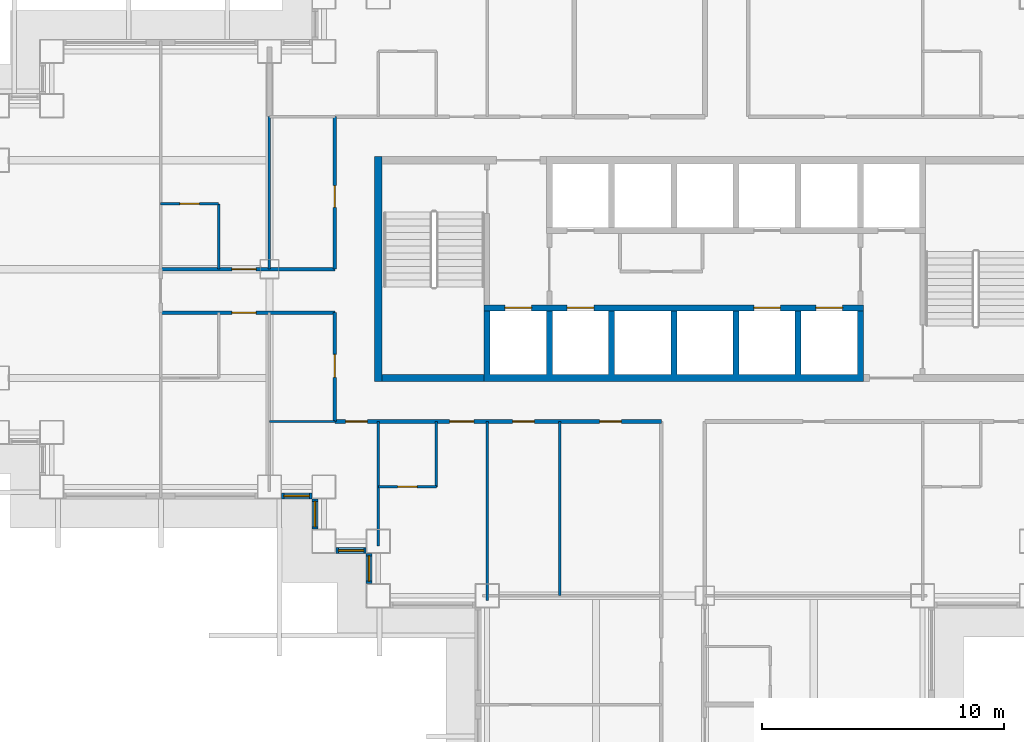
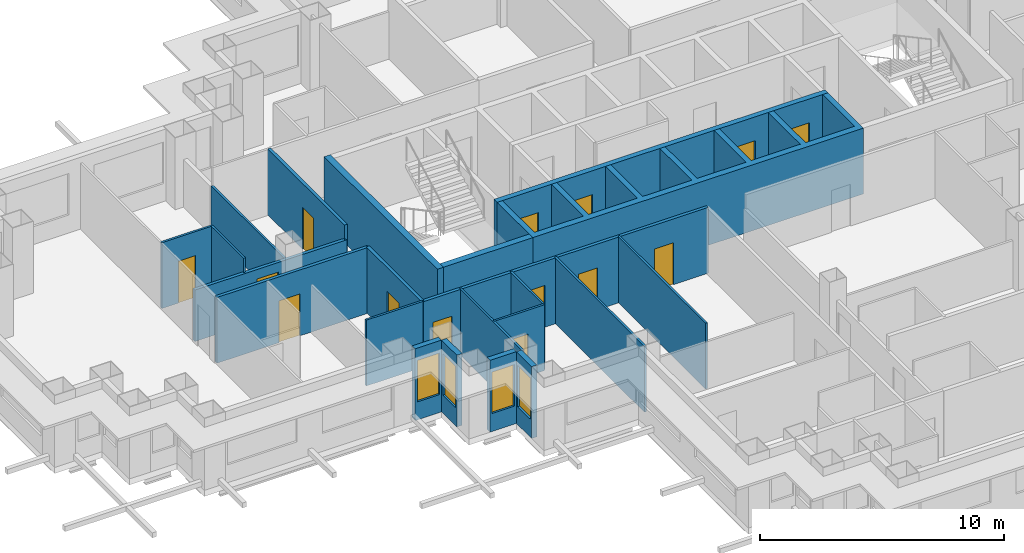
# One storey, part 4 of 15: 22 walls, 14 doors, 4 windows, 18 openings.
"""IFC4 building model written with IfcOpenShell, lengths in metres."""

from ifc_helpers import new_model, si_unit, direction, frame, frame_2d, origin, place, context, subcontext, project, spatial, polyline, rectangle, outline, extrude, material, layer, layer_set, type_object, element, fill, save


model = new_model("IFC4")

# Units and contexts
model_context = context("Model", 3, precision=1e-05, world=origin(), true_north=direction((0.0, 1.0)))
body_context = subcontext(model_context, "Body", "Model", "MODEL_VIEW")
ifc_project = project(units=[si_unit("LENGTHUNIT", "METRE"), si_unit("AREAUNIT", "SQUARE_METRE"), si_unit("VOLUMEUNIT", "CUBIC_METRE"), si_unit("PLANEANGLEUNIT", "RADIAN"), si_unit("MASSUNIT", "GRAM", prefix="KILO")], contexts=[model_context])

# Site, building, storey
site_placement = place(None, origin())
site = spatial("IfcSite", under=ifc_project, at=site_placement, CompositionType="ELEMENT")
building_placement = place(site_placement, origin())
building = spatial("IfcBuilding", under=site, at=building_placement, Name="Caravel Reach Hotel and Residences", CompositionType="ELEMENT")
storey_placement = place(building_placement, frame((0.0, 0.0, 70.800048828125)))
storey = spatial("IfcBuildingStorey", under=building, at=storey_placement, Name="L16", CompositionType="ELEMENT", Elevation=70.800048828125)

# Wall, opening, door
ifc_material_1 = material(Name="Gypsum board on steel stud", Category="steel")
ifc_layer_1 = layer(ifc_material_1, 0.10009765625)
ifc_layer_set_1 = layer_set([ifc_layer_1], Name="Bathroom pod wall 100 mm")
wall_type_1 = type_object("IfcWallType", Name="Bathroom pod wall 100 mm", PredefinedType="PARTITIONING", material=ifc_layer_set_1)
wall_1_placement = place(storey_placement, frame((18.0, 18.0, 0.0), z_axis=(0.0, 0.0, 1.0), x_axis=(1.0, 0.0, 0.0)))
wall_1 = element("IfcWall", 1, at=wall_1_placement, inside=storey, type_object=wall_type_1, Name="L16 wall w075", PredefinedType="PARTITIONING", context=body_context, shape_type="SweptSolid", body=[
    extrude(rectangle(XDim=2.39990234375, YDim=0.10009765625, at=frame_2d((1.199951171875, 0.0))), origin(), (0.0, 0.0, 1.0), 3.300048828125),
])
opening_1_placement = place(wall_1_placement, frame((0.800048828125, 0.0, 0.0)))
opening_1 = element("IfcOpeningElement", 2, at=opening_1_placement, cuts=wall_1, Name="Opening D16-047", PredefinedType="OPENING", context=body_context, shape_type="SweptSolid", body=[
    extrude(rectangle(XDim=0.800048828125, YDim=2.10009765625, at=frame_2d((0.39990234375, 1.050048828125))), frame((0.0, 0.06005859375, 0.0), z_axis=(0.0, -1.0, 0.0), x_axis=(1.0, 0.0, 0.0)), (0.0, 0.0, 1.0), 0.1201171875),
])
ifc_material_2 = material(Name="Timber and steel door leaf", Category="steel")
door_type_1 = type_object("IfcDoorType", Name="Bathroom door 800 x 2100", OperationType="SINGLE_SWING_LEFT", PredefinedType="DOOR", material=ifc_material_2)
door_1_placement = place(opening_1_placement, origin())
door_1 = element("IfcDoor", 3, at=door_1_placement, inside=storey, type_object=door_type_1, Name="door D16-047", OperationType="SINGLE_SWING_RIGHT", OverallHeight=2.10009765625, OverallWidth=0.800048828125, PredefinedType="DOOR", context=body_context, shape_type="SweptSolid", body=[
    extrude(rectangle(XDim=0.800048828125, YDim=2.10009765625, at=frame_2d((0.39990234375, 1.050048828125))), frame((0.0, 0.02490234375, 0.0), z_axis=(0.0, -1.0, 0.0), x_axis=(1.0, 0.0, 0.0)), (0.0, 0.0, 1.0), 0.050048828125),
])
fill(opening_1, door_1)

wall_2_placement = place(storey_placement, frame((9.0, 29.699951171875, 0.0), z_axis=(0.0, 0.0, 1.0), x_axis=(1.0, 0.0, 0.0)))
wall_2 = element("IfcWall", 4, at=wall_2_placement, inside=storey, type_object=wall_type_1, Name="L16 wall w079", PredefinedType="PARTITIONING", context=body_context, shape_type="SweptSolid", body=[
    extrude(rectangle(XDim=2.39990234375, YDim=0.10009765625, at=frame_2d((1.199951171875, 0.0))), origin(), (0.0, 0.0, 1.0), 3.300048828125),
])
opening_2_placement = place(wall_2_placement, frame((0.800048828125, 0.0, 0.0)))
opening_2 = element("IfcOpeningElement", 5, at=opening_2_placement, cuts=wall_2, Name="Opening D16-018", PredefinedType="OPENING", context=body_context, shape_type="SweptSolid", body=[
    extrude(rectangle(XDim=0.800048828125, YDim=2.10009765625, at=frame_2d((0.39990234375, 1.050048828125))), frame((0.0, 0.06005859375, 0.0), z_axis=(0.0, -1.0, 0.0), x_axis=(1.0, 0.0, 0.0)), (0.0, 0.0, 1.0), 0.1201171875),
])
door_2_placement = place(opening_2_placement, origin())
door_2 = element("IfcDoor", 6, at=door_2_placement, inside=storey, type_object=door_type_1, Name="door D16-018", OperationType="SINGLE_SWING_RIGHT", OverallHeight=2.10009765625, OverallWidth=0.800048828125, PredefinedType="DOOR", context=body_context, shape_type="SweptSolid", body=[
    extrude(rectangle(XDim=0.800048828125, YDim=2.10009765625, at=frame_2d((0.39990234375, 1.050048828125))), frame((0.0, 0.02490234375, 0.0), z_axis=(0.0, -1.0, 0.0), x_axis=(1.0, 0.0, 0.0)), (0.0, 0.0, 1.0), 0.050048828125),
])
fill(opening_2, door_2)

# Walls
for number, where, z_axis, x_axis, name in (
    (7, (11.39990234375, 27.0, 0.0), (0.0, 0.0, 1.0), (0.0, 1.0, 0.0), "L16 wall w088"),
    (8, (20.39990234375, 18.0, 0.0), (0.0, 0.0, 1.0), (0.0, 1.0, 0.0), "L16 wall w092"),
):
    element("IfcWall", number, at=place(storey_placement, frame(where, z_axis=z_axis, x_axis=x_axis)), inside=storey, type_object=wall_type_1, Name=name, PredefinedType="PARTITIONING", context=body_context, shape_type="SweptSolid", body=[
        extrude(rectangle(XDim=2.699951171875, YDim=0.10009765625, at=frame_2d((1.35009765625, 0.0))), origin(), (0.0, 0.0, 1.0), 3.300048828125),
    ])
ifc_material_3 = material(Name="Concrete C60", Category="concrete")
ifc_layer_2 = layer(ifc_material_3, 0.300048828125)
ifc_layer_set_2 = layer_set([ifc_layer_2], Name="Core wall 300 mm EI 120")
wall_type_2 = type_object("IfcWallType", Name="Core wall 300 mm EI 120", PredefinedType="SHEAR", material=ifc_layer_set_2)
wall_3_placement = place(storey_placement, frame((18.14990234375, 22.5, 0.0), z_axis=(0.0, 0.0, 1.0), x_axis=(1.0, 0.0, 0.0)))
element("IfcWall", 9, at=wall_3_placement, inside=storey, type_object=wall_type_2, Name="L16 core wall S1", PredefinedType="SHEAR", context=body_context, shape_type="SweptSolid", body=[
    extrude(rectangle(XDim=4.22509765625, YDim=0.300048828125, at=frame_2d((2.112548828125, 0.0))), origin(), (0.0, 0.0, 1.0), 3.300048828125),
])
wall_4_placement = place(storey_placement, frame((18.0, 22.35009765625, 0.0), z_axis=(0.0, 0.0, 1.0), x_axis=(0.0, 1.0, 0.0)))
element("IfcWall", 10, at=wall_4_placement, inside=storey, type_object=wall_type_2, Name="L16 core wall W", PredefinedType="SHEAR", context=body_context, shape_type="SweptSolid", body=[
    extrude(rectangle(XDim=9.2998046875, YDim=0.300048828125, at=frame_2d((4.64990234375, 0.0))), origin(), (0.0, 0.0, 1.0), 3.300048828125),
])

# Wall, openings, doors
ifc_material_4 = material(Name="Gypsum board on steel stud, fire-rated", Category="steel")
ifc_layer_3 = layer(ifc_material_4, 0.14990234375)
ifc_layer_set_3 = layer_set([ifc_layer_3], Name="Corridor wall 150 mm EI 60")
wall_type_3 = type_object("IfcWallType", Name="Corridor wall 150 mm EI 60", PredefinedType="PARTITIONING", material=ifc_layer_set_3)
wall_5_placement = place(storey_placement, frame((16.199951171875, 20.699951171875, 0.0), z_axis=(0.0, 0.0, 1.0), x_axis=(1.0, 0.0, 0.0)))
wall_5 = element("IfcWall", 11, at=wall_5_placement, inside=storey, type_object=wall_type_3, Name="L16 wall w006", PredefinedType="PARTITIONING", context=body_context, shape_type="SweptSolid", body=[
    extrude(rectangle(XDim=13.5, YDim=0.14990234375, at=frame_2d((6.75, 0.0))), origin(), (0.0, 0.0, 1.0), 3.300048828125),
])
opening_3_placement = place(wall_5_placement, frame((4.75, 0.0, 0.0)))
opening_3 = element("IfcOpeningElement", 12, at=opening_3_placement, cuts=wall_5, Name="Opening D16-046", PredefinedType="OPENING", context=body_context, shape_type="SweptSolid", body=[
    extrude(rectangle(XDim=1.0, YDim=2.10009765625, at=frame_2d((0.5, 1.050048828125))), frame((0.0, 0.0849609375, 0.0), z_axis=(0.0, -1.0, 0.0), x_axis=(1.0, 0.0, 0.0)), (0.0, 0.0, 1.0), 0.169921875),
])
opening_4_placement = place(wall_5_placement, frame((0.449951171875, 0.0, 0.0)))
opening_4 = element("IfcOpeningElement", 13, at=opening_4_placement, cuts=wall_5, Name="Opening D16-048", PredefinedType="OPENING", context=body_context, shape_type="SweptSolid", body=[
    extrude(rectangle(XDim=0.89990234375, YDim=2.10009765625, at=frame_2d((0.449951171875, 1.050048828125))), frame((0.0, 0.0849609375, 0.0), z_axis=(0.0, -1.0, 0.0), x_axis=(1.0, 0.0, 0.0)), (0.0, 0.0, 1.0), 0.169921875),
])
opening_5_placement = place(wall_5_placement, frame((7.35009765625, 0.0, 0.0)))
opening_5 = element("IfcOpeningElement", 14, at=opening_5_placement, cuts=wall_5, Name="Opening D16-054", PredefinedType="OPENING", context=body_context, shape_type="SweptSolid", body=[
    extrude(rectangle(XDim=0.89990234375, YDim=2.10009765625, at=frame_2d((0.449951171875, 1.050048828125))), frame((0.0, 0.0849609375, 0.0), z_axis=(0.0, -1.0, 0.0), x_axis=(1.0, 0.0, 0.0)), (0.0, 0.0, 1.0), 0.169921875),
])
opening_6_placement = place(wall_5_placement, frame((10.949951171875, 0.0, 0.0)))
opening_6 = element("IfcOpeningElement", 15, at=opening_6_placement, cuts=wall_5, Name="Opening D16-055", PredefinedType="OPENING", context=body_context, shape_type="SweptSolid", body=[
    extrude(rectangle(XDim=0.89990234375, YDim=2.10009765625, at=frame_2d((0.449951171875, 1.050048828125))), frame((0.0, 0.0849609375, 0.0), z_axis=(0.0, -1.0, 0.0), x_axis=(1.0, 0.0, 0.0)), (0.0, 0.0, 1.0), 0.169921875),
])
ifc_material_5 = material(Name="Timber and steel door leaf", Category="steel")
door_type_2 = type_object("IfcDoorType", Name="Door 900 x 2100 timber", OperationType="SINGLE_SWING_LEFT", PredefinedType="DOOR", material=ifc_material_5)
door_3_placement = place(opening_4_placement, origin())
door_3 = element("IfcDoor", 16, at=door_3_placement, inside=storey, type_object=door_type_2, Name="door D16-048", OperationType="SINGLE_SWING_RIGHT", OverallHeight=2.10009765625, OverallWidth=0.89990234375, PredefinedType="DOOR", context=body_context, shape_type="SweptSolid", body=[
    extrude(rectangle(XDim=0.89990234375, YDim=2.10009765625, at=frame_2d((0.449951171875, 1.050048828125))), frame((0.0, 0.02490234375, 0.0), z_axis=(0.0, -1.0, 0.0), x_axis=(1.0, 0.0, 0.0)), (0.0, 0.0, 1.0), 0.050048828125),
])
fill(opening_4, door_3)
door_4_placement = place(opening_5_placement, origin())
door_4 = element("IfcDoor", 17, at=door_4_placement, inside=storey, type_object=door_type_2, Name="door D16-054", OperationType="SINGLE_SWING_LEFT", OverallHeight=2.10009765625, OverallWidth=0.89990234375, PredefinedType="DOOR", context=body_context, shape_type="SweptSolid", body=[
    extrude(rectangle(XDim=0.89990234375, YDim=2.10009765625, at=frame_2d((0.449951171875, 1.050048828125))), frame((0.0, 0.02490234375, 0.0), z_axis=(0.0, -1.0, 0.0), x_axis=(1.0, 0.0, 0.0)), (0.0, 0.0, 1.0), 0.050048828125),
])
fill(opening_5, door_4)
door_5_placement = place(opening_6_placement, origin())
door_5 = element("IfcDoor", 18, at=door_5_placement, inside=storey, type_object=door_type_2, Name="door D16-055", OperationType="SINGLE_SWING_RIGHT", OverallHeight=2.10009765625, OverallWidth=0.89990234375, PredefinedType="DOOR", context=body_context, shape_type="SweptSolid", body=[
    extrude(rectangle(XDim=0.89990234375, YDim=2.10009765625, at=frame_2d((0.449951171875, 1.050048828125))), frame((0.0, 0.02490234375, 0.0), z_axis=(0.0, -1.0, 0.0), x_axis=(1.0, 0.0, 0.0)), (0.0, 0.0, 1.0), 0.050048828125),
])
fill(opening_6, door_5)
ifc_material_6 = material(Name="Steel fire door leaf", Category="steel")
door_type_3 = type_object("IfcDoorType", Name="Guest room door 1000 x 2100 EI 30", OperationType="SINGLE_SWING_LEFT", PredefinedType="DOOR", material=ifc_material_6)
door_6_placement = place(opening_3_placement, origin())
door_6 = element("IfcDoor", 19, at=door_6_placement, inside=storey, type_object=door_type_3, Name="door D16-046", OperationType="SINGLE_SWING_RIGHT", OverallHeight=2.10009765625, OverallWidth=1.0, PredefinedType="DOOR", context=body_context, shape_type="SweptSolid", body=[
    extrude(rectangle(XDim=1.0, YDim=2.10009765625, at=frame_2d((0.5, 1.050048828125))), frame((0.0, 0.02490234375, 0.0), z_axis=(0.0, -1.0, 0.0), x_axis=(1.0, 0.0, 0.0)), (0.0, 0.0, 1.0), 0.050048828125),
])
fill(opening_3, door_6)

# Wall, opening, door
wall_6_placement = place(storey_placement, frame((9.0, 25.199951171875, 0.0), z_axis=(0.0, 0.0, 1.0), x_axis=(1.0, 0.0, 0.0)))
wall_6 = element("IfcWall", 20, at=wall_6_placement, inside=storey, type_object=wall_type_3, Name="L16 wall w007", PredefinedType="PARTITIONING", context=body_context, shape_type="SweptSolid", body=[
    extrude(rectangle(XDim=7.199951171875, YDim=0.14990234375, at=frame_2d((3.60009765625, 0.0))), origin(), (0.0, 0.0, 1.0), 3.300048828125),
])
opening_7_placement = place(wall_6_placement, frame((2.949951171875, 0.0, 0.0)))
opening_7 = element("IfcOpeningElement", 21, at=opening_7_placement, cuts=wall_6, Name="Opening D16-015", PredefinedType="OPENING", context=body_context, shape_type="SweptSolid", body=[
    extrude(rectangle(XDim=1.0, YDim=2.10009765625, at=frame_2d((0.5, 1.050048828125))), frame((0.0, 0.0849609375, 0.0), z_axis=(0.0, -1.0, 0.0), x_axis=(1.0, 0.0, 0.0)), (0.0, 0.0, 1.0), 0.169921875),
])
door_7_placement = place(opening_7_placement, origin())
door_7 = element("IfcDoor", 22, at=door_7_placement, inside=storey, type_object=door_type_3, Name="door D16-015", OperationType="SINGLE_SWING_RIGHT", OverallHeight=2.10009765625, OverallWidth=1.0, PredefinedType="DOOR", context=body_context, shape_type="SweptSolid", body=[
    extrude(rectangle(XDim=1.0, YDim=2.10009765625, at=frame_2d((0.5, 1.050048828125))), frame((0.0, 0.02490234375, 0.0), z_axis=(0.0, -1.0, 0.0), x_axis=(1.0, 0.0, 0.0)), (0.0, 0.0, 1.0), 0.050048828125),
])
fill(opening_7, door_7)

wall_7_placement = place(storey_placement, frame((9.0, 27.0, 0.0), z_axis=(0.0, 0.0, 1.0), x_axis=(1.0, 0.0, 0.0)))
wall_7 = element("IfcWall", 23, at=wall_7_placement, inside=storey, type_object=wall_type_3, Name="L16 wall w010", PredefinedType="PARTITIONING", context=body_context, shape_type="SweptSolid", body=[
    extrude(rectangle(XDim=7.199951171875, YDim=0.14990234375, at=frame_2d((3.60009765625, 0.0))), origin(), (0.0, 0.0, 1.0), 2.579833984375),
])
opening_8_placement = place(wall_7_placement, frame((2.949951171875, 0.0, 0.0)))
opening_8 = element("IfcOpeningElement", 24, at=opening_8_placement, cuts=wall_7, Name="Opening D16-017", PredefinedType="OPENING", context=body_context, shape_type="SweptSolid", body=[
    extrude(rectangle(XDim=1.0, YDim=2.10009765625, at=frame_2d((0.5, 1.050048828125))), frame((0.0, 0.0849609375, 0.0), z_axis=(0.0, -1.0, 0.0), x_axis=(1.0, 0.0, 0.0)), (0.0, 0.0, 1.0), 0.169921875),
])
door_8_placement = place(opening_8_placement, origin())
door_8 = element("IfcDoor", 25, at=door_8_placement, inside=storey, type_object=door_type_3, Name="door D16-017", OperationType="SINGLE_SWING_RIGHT", OverallHeight=2.10009765625, OverallWidth=1.0, PredefinedType="DOOR", context=body_context, shape_type="SweptSolid", body=[
    extrude(rectangle(XDim=1.0, YDim=2.10009765625, at=frame_2d((0.5, 1.050048828125))), frame((0.0, 0.02490234375, 0.0), z_axis=(0.0, -1.0, 0.0), x_axis=(1.0, 0.0, 0.0)), (0.0, 0.0, 1.0), 0.050048828125),
])
fill(opening_8, door_8)

wall_8_placement = place(storey_placement, frame((16.199951171875, 27.0, 0.0), z_axis=(0.0, 0.0, 1.0), x_axis=(0.0, 1.0, 0.0)))
wall_8 = element("IfcWall", 26, at=wall_8_placement, inside=storey, type_object=wall_type_3, Name="L16 wall w021", PredefinedType="PARTITIONING", context=body_context, shape_type="SweptSolid", body=[
    extrude(rectangle(XDim=6.300048828125, YDim=0.14990234375, at=frame_2d((3.14990234375, 0.0))), origin(), (0.0, 0.0, 1.0), 3.300048828125),
])
opening_9_placement = place(wall_8_placement, frame((2.550048828125, 0.0, 0.0)))
opening_9 = element("IfcOpeningElement", 27, at=opening_9_placement, cuts=wall_8, Name="Opening D16-058", PredefinedType="OPENING", context=body_context, shape_type="SweptSolid", body=[
    extrude(rectangle(XDim=0.89990234375, YDim=2.10009765625, at=frame_2d((0.449951171875, 1.050048828125))), frame((0.0, 0.0849609375, 0.0), z_axis=(0.0, -1.0, 0.0), x_axis=(1.0, 0.0, 0.0)), (0.0, 0.0, 1.0), 0.169921875),
])
door_9_placement = place(opening_9_placement, origin())
door_9 = element("IfcDoor", 28, at=door_9_placement, inside=storey, type_object=door_type_2, Name="door D16-058", OperationType="SINGLE_SWING_LEFT", OverallHeight=2.10009765625, OverallWidth=0.89990234375, PredefinedType="DOOR", context=body_context, shape_type="SweptSolid", body=[
    extrude(rectangle(XDim=0.89990234375, YDim=2.10009765625, at=frame_2d((0.449951171875, 1.050048828125))), frame((0.0, 0.02490234375, 0.0), z_axis=(0.0, -1.0, 0.0), x_axis=(1.0, 0.0, 0.0)), (0.0, 0.0, 1.0), 0.050048828125),
])
fill(opening_9, door_9)

wall_9_placement = place(storey_placement, frame((16.199951171875, 20.699951171875, 0.0), z_axis=(0.0, 0.0, 1.0), x_axis=(0.0, 1.0, 0.0)))
wall_9 = element("IfcWall", 29, at=wall_9_placement, inside=storey, type_object=wall_type_3, Name="L16 wall w022", PredefinedType="PARTITIONING", context=body_context, shape_type="SweptSolid", body=[
    extrude(rectangle(XDim=4.5, YDim=0.14990234375, at=frame_2d((2.25, 0.0))), origin(), (0.0, 0.0, 1.0), 3.300048828125),
])
opening_10_placement = place(wall_9_placement, frame((1.824951171875, 0.0, 0.0)))
opening_10 = element("IfcOpeningElement", 30, at=opening_10_placement, cuts=wall_9, Name="Opening D16-057", PredefinedType="OPENING", context=body_context, shape_type="SweptSolid", body=[
    extrude(rectangle(XDim=0.949951171875, YDim=2.10009765625, at=frame_2d((0.47509765625, 1.050048828125))), frame((0.0, 0.0849609375, 0.0), z_axis=(0.0, -1.0, 0.0), x_axis=(1.0, 0.0, 0.0)), (0.0, 0.0, 1.0), 0.169921875),
])
ifc_material_7 = material(Name="Timber and steel door leaf", Category="steel")
door_type_4 = type_object("IfcDoorType", Name="Accessible WC door 950 x 2100", OperationType="SINGLE_SWING_LEFT", PredefinedType="DOOR", material=ifc_material_7)
door_10_placement = place(opening_10_placement, origin())
door_10 = element("IfcDoor", 31, at=door_10_placement, inside=storey, type_object=door_type_4, Name="door D16-057", OperationType="SINGLE_SWING_RIGHT", OverallHeight=2.10009765625, OverallWidth=0.949951171875, PredefinedType="DOOR", context=body_context, shape_type="SweptSolid", body=[
    extrude(rectangle(XDim=0.949951171875, YDim=2.10009765625, at=frame_2d((0.47509765625, 1.050048828125))), frame((0.0, 0.02490234375, 0.0), z_axis=(0.0, -1.0, 0.0), x_axis=(1.0, 0.0, 0.0)), (0.0, 0.0, 1.0), 0.050048828125),
])
fill(opening_10, door_10)

# Wall, opening, window
ifc_material_8 = material(Name="Insulated rainscreen wall, aluminium cladding", Category="aluminium")
ifc_layer_4 = layer(ifc_material_8, 0.25)
ifc_layer_set_4 = layer_set([ifc_layer_4], Name="EW1 Tower rainscreen wall")
wall_type_4 = type_object("IfcWallType", Name="EW1 Tower rainscreen wall", PredefinedType="SOLIDWALL", material=ifc_layer_set_4)
wall_10_placement = place(storey_placement, frame((14.0, 17.625, 0.0), z_axis=(0.0, 0.0, 1.0), x_axis=(1.0, 0.0, 0.0)))
wall_10 = element("IfcWall", 32, at=wall_10_placement, inside=storey, type_object=wall_type_4, Name="External wall L16 S55.2", PredefinedType="SOLIDWALL", context=body_context, shape_type="SweptSolid", body=[
    extrude(rectangle(XDim=1.25, YDim=0.25, at=frame_2d((0.625, 0.0))), origin(), (0.0, 0.0, 1.0), 3.599853515625),
])
opening_11_placement = place(wall_10_placement, frame((0.10009765625, 0.0, 0.89990234375)))
opening_11 = element("IfcOpeningElement", 33, at=opening_11_placement, cuts=wall_10, Name="Opening WN3", PredefinedType="OPENING", context=body_context, shape_type="SweptSolid", body=[
    extrude(rectangle(XDim=1.050048828125, YDim=2.080078125, at=frame_2d((0.52490234375, 1.0400390625))), frame((0.0, 0.135009765625, 0.0), z_axis=(0.0, -1.0, 0.0), x_axis=(1.0, 0.0, 0.0)), (0.0, 0.0, 1.0), 0.27001953125),
])
ifc_material_9 = material(Name="Dark low-e glazing in black aluminium frame", Category="aluminium")
window_type = type_object("IfcWindowType", Name="Hotel suite corner window 1050 x 2080", PartitioningType="SINGLE_PANEL", PredefinedType="WINDOW", material=ifc_material_9)
window_1_placement = place(opening_11_placement, origin())
window_1 = element("IfcWindow", 34, at=window_1_placement, inside=storey, type_object=window_type, Name="Window L16 S55.2.1", OverallHeight=2.080078125, OverallWidth=1.050048828125, PartitioningType="SINGLE_PANEL", PredefinedType="WINDOW", context=body_context, shape_type="SweptSolid", body=[
    extrude(rectangle(XDim=1.050048828125, YDim=2.080078125, at=frame_2d((0.52490234375, 1.0400390625))), frame((0.0, 0.030029296875, 0.0), z_axis=(0.0, -1.0, 0.0), x_axis=(1.0, 0.0, 0.0)), (0.0, 0.0, 1.0), 0.06005859375),
])
fill(opening_11, window_1)

wall_11_placement = place(storey_placement, frame((15.375, 17.5, 0.0), z_axis=(0.0, 0.0, 1.0), x_axis=(0.0, -1.0, 0.0)))
wall_11 = element("IfcWall", 35, at=wall_11_placement, inside=storey, type_object=wall_type_4, Name="External wall L16 W56.1", PredefinedType="SOLIDWALL", context=body_context, shape_type="SweptSolid", body=[
    extrude(rectangle(XDim=1.25, YDim=0.25, at=frame_2d((0.625, 0.0))), origin(), (0.0, 0.0, 1.0), 3.599853515625),
])
opening_12_placement = place(wall_11_placement, frame((0.10009765625, 0.0, 0.89990234375)))
opening_12 = element("IfcOpeningElement", 36, at=opening_12_placement, cuts=wall_11, Name="Opening WN3", PredefinedType="OPENING", context=body_context, shape_type="SweptSolid", body=[
    extrude(rectangle(XDim=1.050048828125, YDim=2.080078125, at=frame_2d((0.52490234375, 1.0400390625))), frame((0.0, 0.135009765625, 0.0), z_axis=(0.0, -1.0, 0.0), x_axis=(1.0, 0.0, 0.0)), (0.0, 0.0, 1.0), 0.27001953125),
])
window_2_placement = place(opening_12_placement, origin())
window_2 = element("IfcWindow", 37, at=window_2_placement, inside=storey, type_object=window_type, Name="Window L16 W56.1.1", OverallHeight=2.080078125, OverallWidth=1.050048828125, PartitioningType="SINGLE_PANEL", PredefinedType="WINDOW", context=body_context, shape_type="SweptSolid", body=[
    extrude(rectangle(XDim=1.050048828125, YDim=2.080078125, at=frame_2d((0.52490234375, 1.0400390625))), frame((0.0, 0.030029296875, 0.0), z_axis=(0.0, -1.0, 0.0), x_axis=(1.0, 0.0, 0.0)), (0.0, 0.0, 1.0), 0.06005859375),
])
fill(opening_12, window_2)

wall_12_placement = place(storey_placement, frame((16.25, 15.375, 0.0), z_axis=(0.0, 0.0, 1.0), x_axis=(1.0, 0.0, 0.0)))
wall_12 = element("IfcWall", 38, at=wall_12_placement, inside=storey, type_object=wall_type_4, Name="External wall L16 S57.1", PredefinedType="SOLIDWALL", context=body_context, shape_type="SweptSolid", body=[
    extrude(rectangle(XDim=1.25, YDim=0.25, at=frame_2d((0.625, 0.0))), origin(), (0.0, 0.0, 1.0), 3.599853515625),
])
opening_13_placement = place(wall_12_placement, frame((0.10009765625, 0.0, 0.89990234375)))
opening_13 = element("IfcOpeningElement", 39, at=opening_13_placement, cuts=wall_12, Name="Opening WN3", PredefinedType="OPENING", context=body_context, shape_type="SweptSolid", body=[
    extrude(rectangle(XDim=1.050048828125, YDim=2.080078125, at=frame_2d((0.52490234375, 1.0400390625))), frame((0.0, 0.135009765625, 0.0), z_axis=(0.0, -1.0, 0.0), x_axis=(1.0, 0.0, 0.0)), (0.0, 0.0, 1.0), 0.27001953125),
])
window_3_placement = place(opening_13_placement, origin())
window_3 = element("IfcWindow", 40, at=window_3_placement, inside=storey, type_object=window_type, Name="Window L16 S57.1.1", OverallHeight=2.080078125, OverallWidth=1.050048828125, PartitioningType="SINGLE_PANEL", PredefinedType="WINDOW", context=body_context, shape_type="SweptSolid", body=[
    extrude(rectangle(XDim=1.050048828125, YDim=2.080078125, at=frame_2d((0.52490234375, 1.0400390625))), frame((0.0, 0.030029296875, 0.0), z_axis=(0.0, -1.0, 0.0), x_axis=(1.0, 0.0, 0.0)), (0.0, 0.0, 1.0), 0.06005859375),
])
fill(opening_13, window_3)

wall_13_placement = place(storey_placement, frame((17.625, 15.25, 0.0), z_axis=(0.0, 0.0, 1.0), x_axis=(0.0, -1.0, 0.0)))
wall_13 = element("IfcWall", 41, at=wall_13_placement, inside=storey, type_object=wall_type_4, Name="External wall L16 W58.1", PredefinedType="SOLIDWALL", context=body_context, shape_type="SweptSolid", body=[
    extrude(rectangle(XDim=1.25, YDim=0.25, at=frame_2d((0.625, 0.0))), origin(), (0.0, 0.0, 1.0), 3.599853515625),
])
opening_14_placement = place(wall_13_placement, frame((0.10009765625, 0.0, 0.89990234375)))
opening_14 = element("IfcOpeningElement", 42, at=opening_14_placement, cuts=wall_13, Name="Opening WN3", PredefinedType="OPENING", context=body_context, shape_type="SweptSolid", body=[
    extrude(rectangle(XDim=1.050048828125, YDim=2.080078125, at=frame_2d((0.52490234375, 1.0400390625))), frame((0.0, 0.135009765625, 0.0), z_axis=(0.0, -1.0, 0.0), x_axis=(1.0, 0.0, 0.0)), (0.0, 0.0, 1.0), 0.27001953125),
])
window_4_placement = place(opening_14_placement, origin())
window_4 = element("IfcWindow", 43, at=window_4_placement, inside=storey, type_object=window_type, Name="Window L16 W58.1.1", OverallHeight=2.080078125, OverallWidth=1.050048828125, PartitioningType="SINGLE_PANEL", PredefinedType="WINDOW", context=body_context, shape_type="SweptSolid", body=[
    extrude(rectangle(XDim=1.050048828125, YDim=2.080078125, at=frame_2d((0.52490234375, 1.0400390625))), frame((0.0, 0.030029296875, 0.0), z_axis=(0.0, -1.0, 0.0), x_axis=(1.0, 0.0, 0.0)), (0.0, 0.0, 1.0), 0.06005859375),
])
fill(opening_14, window_4)

# Walls
ifc_material_10 = material(Name="Gypsum board on steel stud", Category="steel")
ifc_layer_5 = layer(ifc_material_10, 0.10009765625)
ifc_layer_set_5 = layer_set([ifc_layer_5], Name="Partition 100 mm")
wall_type_5 = type_object("IfcWallType", Name="Partition 100 mm", PredefinedType="PARTITIONING", material=ifc_layer_set_5)
wall_14_placement = place(storey_placement, frame((13.5, 20.699951171875, 0.0), z_axis=(0.0, 0.0, 1.0), x_axis=(1.0, 0.0, 0.0)))
element("IfcWall", 44, at=wall_14_placement, inside=storey, type_object=wall_type_5, Name="L16 wall w042", PredefinedType="PARTITIONING", context=body_context, shape_type="SweptSolid", body=[
    extrude(rectangle(XDim=2.699951171875, YDim=0.10009765625, at=frame_2d((1.35009765625, 0.0))), origin(), (0.0, 0.0, 1.0), 3.300048828125),
])
wall_15_placement = place(storey_placement, frame((13.5, 27.0, 0.0), z_axis=(0.0, 0.0, 1.0), x_axis=(0.0, 1.0, 0.0)))
element("IfcWall", 45, at=wall_15_placement, inside=storey, type_object=wall_type_5, Name="L16 wall w051", PredefinedType="PARTITIONING", context=body_context, shape_type="SweptSolid", body=[
    extrude(rectangle(XDim=6.300048828125, YDim=0.10009765625, at=frame_2d((3.14990234375, 0.0))), origin(), (0.0, 0.0, 1.0), 2.3798828125),
])
wall_16_placement = place(storey_placement, frame((18.0, 15.56005859375, 0.0), z_axis=(0.0, 0.0, 1.0), x_axis=(0.0, 1.0, 0.0)))
element("IfcWall", 46, at=wall_16_placement, inside=storey, type_object=wall_type_5, Name="L16 wall w054", PredefinedType="PARTITIONING", context=body_context, shape_type="SweptSolid", body=[
    extrude(rectangle(XDim=5.139892578125, YDim=0.10009765625, at=frame_2d((2.56982421875, 0.0))), origin(), (0.0, 0.0, 1.0), 3.300048828125),
])
wall_17_placement = place(storey_placement, frame((22.5, 13.31005859375, 0.0), z_axis=(0.0, 0.0, 1.0), x_axis=(0.0, 1.0, 0.0)))
element("IfcWall", 47, at=wall_17_placement, inside=storey, type_object=wall_type_5, Name="L16 wall w056", PredefinedType="PARTITIONING", context=body_context, shape_type="SweptSolid", body=[
    extrude(rectangle(XDim=7.389892578125, YDim=0.10009765625, at=frame_2d((3.69482421875, 0.0))), origin(), (0.0, 0.0, 1.0), 3.300048828125),
])
wall_18_placement = place(storey_placement, frame((25.5, 13.5, 0.0), z_axis=(0.0, 0.0, 1.0), x_axis=(0.0, 1.0, 0.0)))
element("IfcWall", 48, at=wall_18_placement, inside=storey, type_object=wall_type_5, Name="L16 wall w057", PredefinedType="PARTITIONING", context=body_context, shape_type="SweptSolid", body=[
    extrude(rectangle(XDim=7.199951171875, YDim=0.10009765625, at=frame_2d((3.60009765625, 0.0))), origin(), (0.0, 0.0, 1.0), 3.300048828125),
])
ifc_material_11 = material(Name="Concrete C60", Category="concrete")
ifc_layer_6 = layer(ifc_material_11, 0.25)
ifc_layer_set_6 = layer_set([ifc_layer_6], Name="Shaft wall 250 mm EI 120")
wall_type_6 = type_object("IfcWallType", Name="Shaft wall 250 mm EI 120", PredefinedType="SHEAR", material=ifc_layer_set_6)
wall_19_placement = place(storey_placement, origin())
element("IfcWall", 49, at=wall_19_placement, inside=storey, type_object=wall_type_6, Name="L16 lift shaft wall S1", PredefinedType="SHEAR", context=body_context, shape_type="SweptSolid", body=[
    extrude(outline(polyline([(22.375, 22.35009765625), (38.053466796875, 22.35009765625), (38.053466796875, 25.27490234375), (37.803466796875, 25.27490234375), (37.803466796875, 22.64990234375), (35.482177734375, 22.64990234375), (35.482177734375, 25.27490234375), (35.232177734375, 25.27490234375), (35.232177734375, 22.64990234375), (32.91064453125, 22.64990234375), (32.91064453125, 25.27490234375), (32.66064453125, 25.27490234375), (32.66064453125, 22.64990234375), (30.33935546875, 22.64990234375), (30.33935546875, 25.27490234375), (30.08935546875, 25.27490234375), (30.08935546875, 22.64990234375), (27.767822265625, 22.64990234375), (27.767822265625, 25.27490234375), (27.517822265625, 25.27490234375), (27.517822265625, 22.64990234375), (25.196533203125, 22.64990234375), (25.196533203125, 25.27490234375), (24.946533203125, 25.27490234375), (24.946533203125, 22.64990234375), (22.625, 22.64990234375), (22.625, 25.27490234375), (22.375, 25.27490234375), (22.375, 22.35009765625)])), origin(), (0.0, 0.0, 1.0), 3.300048828125),
])

# Wall, openings, doors
wall_20_placement = place(storey_placement, frame((22.375, 25.39990234375, 0.0), z_axis=(0.0, 0.0, 1.0), x_axis=(1.0, 0.0, 0.0)))
wall_20 = element("IfcWall", 50, at=wall_20_placement, inside=storey, type_object=wall_type_6, Name="L16 lobby wall S1", PredefinedType="SHEAR", context=body_context, shape_type="SweptSolid", body=[
    extrude(rectangle(XDim=15.678466796875, YDim=0.25, at=frame_2d((7.83935546875, 0.0))), origin(), (0.0, 0.0, 1.0), 3.300048828125),
])
opening_15_placement = place(wall_20_placement, frame((3.43212890625, 0.0, 0.0)))
opening_15 = element("IfcOpeningElement", 51, at=opening_15_placement, cuts=wall_20, Name="Opening D16-001", PredefinedType="OPENING", context=body_context, shape_type="SweptSolid", body=[
    extrude(rectangle(XDim=1.10009765625, YDim=2.10009765625, at=frame_2d((0.550048828125, 1.050048828125))), frame((0.0, 0.135009765625, 0.0), z_axis=(0.0, -1.0, 0.0), x_axis=(1.0, 0.0, 0.0)), (0.0, 0.0, 1.0), 0.27001953125),
])
opening_16_placement = place(wall_20_placement, frame((11.146484375, 0.0, 0.0)))
opening_16 = element("IfcOpeningElement", 52, at=opening_16_placement, cuts=wall_20, Name="Opening D16-002", PredefinedType="OPENING", context=body_context, shape_type="SweptSolid", body=[
    extrude(rectangle(XDim=1.10009765625, YDim=2.10009765625, at=frame_2d((0.550048828125, 1.050048828125))), frame((0.0, 0.135009765625, 0.0), z_axis=(0.0, -1.0, 0.0), x_axis=(1.0, 0.0, 0.0)), (0.0, 0.0, 1.0), 0.27001953125),
])
opening_17_placement = place(wall_20_placement, frame((13.718017578125, 0.0, 0.0)))
opening_17 = element("IfcOpeningElement", 53, at=opening_17_placement, cuts=wall_20, Name="Opening D16-003", PredefinedType="OPENING", context=body_context, shape_type="SweptSolid", body=[
    extrude(rectangle(XDim=1.10009765625, YDim=2.10009765625, at=frame_2d((0.550048828125, 1.050048828125))), frame((0.0, 0.135009765625, 0.0), z_axis=(0.0, -1.0, 0.0), x_axis=(1.0, 0.0, 0.0)), (0.0, 0.0, 1.0), 0.27001953125),
])
opening_18_placement = place(wall_20_placement, frame((0.860595703125, 0.0, 0.0)))
opening_18 = element("IfcOpeningElement", 54, at=opening_18_placement, cuts=wall_20, Name="Opening D16-006", PredefinedType="OPENING", context=body_context, shape_type="SweptSolid", body=[
    extrude(rectangle(XDim=1.10009765625, YDim=2.10009765625, at=frame_2d((0.550048828125, 1.050048828125))), frame((0.0, 0.135009765625, 0.0), z_axis=(0.0, -1.0, 0.0), x_axis=(1.0, 0.0, 0.0)), (0.0, 0.0, 1.0), 0.27001953125),
])
ifc_material_12 = material(Name="Stainless steel landing door", Category="steel")
door_type_5 = type_object("IfcDoorType", Name="Landing door LD 1100 x 2100 sliding", OperationType="DOUBLE_DOOR_SLIDING", PredefinedType="DOOR", material=ifc_material_12)
door_11_placement = place(opening_15_placement, origin())
door_11 = element("IfcDoor", 55, at=door_11_placement, inside=storey, type_object=door_type_5, Name="LP1 landing door", OperationType="DOUBLE_DOOR_SLIDING", OverallHeight=2.10009765625, OverallWidth=1.10009765625, PredefinedType="DOOR", context=body_context, shape_type="SweptSolid", body=[
    extrude(rectangle(XDim=1.10009765625, YDim=2.10009765625, at=frame_2d((0.550048828125, 1.050048828125))), frame((0.0, 0.02490234375, 0.0), z_axis=(0.0, -1.0, 0.0), x_axis=(1.0, 0.0, 0.0)), (0.0, 0.0, 1.0), 0.050048828125),
])
fill(opening_15, door_11)
door_12_placement = place(opening_16_placement, origin())
door_12 = element("IfcDoor", 56, at=door_12_placement, inside=storey, type_object=door_type_5, Name="LP2 landing door", OperationType="DOUBLE_DOOR_SLIDING", OverallHeight=2.10009765625, OverallWidth=1.10009765625, PredefinedType="DOOR", context=body_context, shape_type="SweptSolid", body=[
    extrude(rectangle(XDim=1.10009765625, YDim=2.10009765625, at=frame_2d((0.550048828125, 1.050048828125))), frame((0.0, 0.02490234375, 0.0), z_axis=(0.0, -1.0, 0.0), x_axis=(1.0, 0.0, 0.0)), (0.0, 0.0, 1.0), 0.050048828125),
])
fill(opening_16, door_12)
door_13_placement = place(opening_17_placement, origin())
door_13 = element("IfcDoor", 57, at=door_13_placement, inside=storey, type_object=door_type_5, Name="LP3 landing door", OperationType="DOUBLE_DOOR_SLIDING", OverallHeight=2.10009765625, OverallWidth=1.10009765625, PredefinedType="DOOR", context=body_context, shape_type="SweptSolid", body=[
    extrude(rectangle(XDim=1.10009765625, YDim=2.10009765625, at=frame_2d((0.550048828125, 1.050048828125))), frame((0.0, 0.02490234375, 0.0), z_axis=(0.0, -1.0, 0.0), x_axis=(1.0, 0.0, 0.0)), (0.0, 0.0, 1.0), 0.050048828125),
])
fill(opening_17, door_13)
door_14_placement = place(opening_18_placement, origin())
door_14 = element("IfcDoor", 58, at=door_14_placement, inside=storey, type_object=door_type_5, Name="FL1 landing door", OperationType="DOUBLE_DOOR_SLIDING", OverallHeight=2.10009765625, OverallWidth=1.10009765625, PredefinedType="DOOR", context=body_context, shape_type="SweptSolid", body=[
    extrude(rectangle(XDim=1.10009765625, YDim=2.10009765625, at=frame_2d((0.550048828125, 1.050048828125))), frame((0.0, 0.02490234375, 0.0), z_axis=(0.0, -1.0, 0.0), x_axis=(1.0, 0.0, 0.0)), (0.0, 0.0, 1.0), 0.050048828125),
])
fill(opening_18, door_14)

save(model, "model.ifc")
